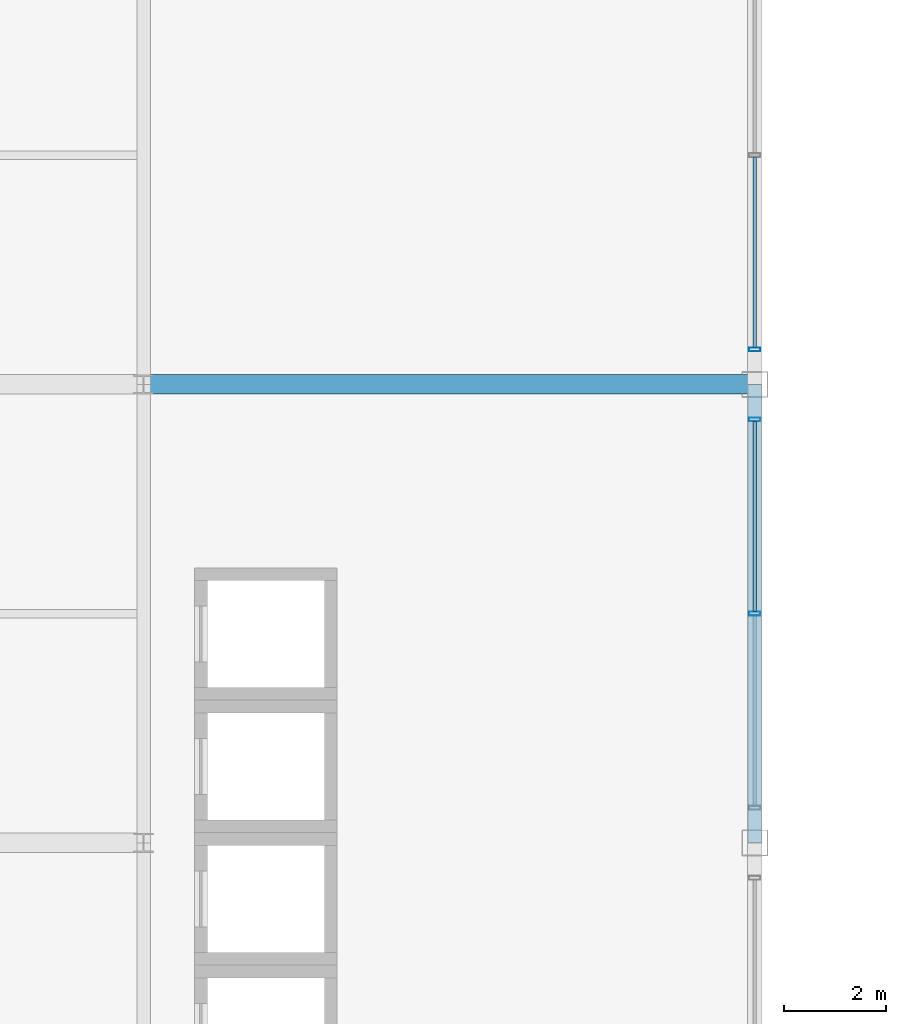
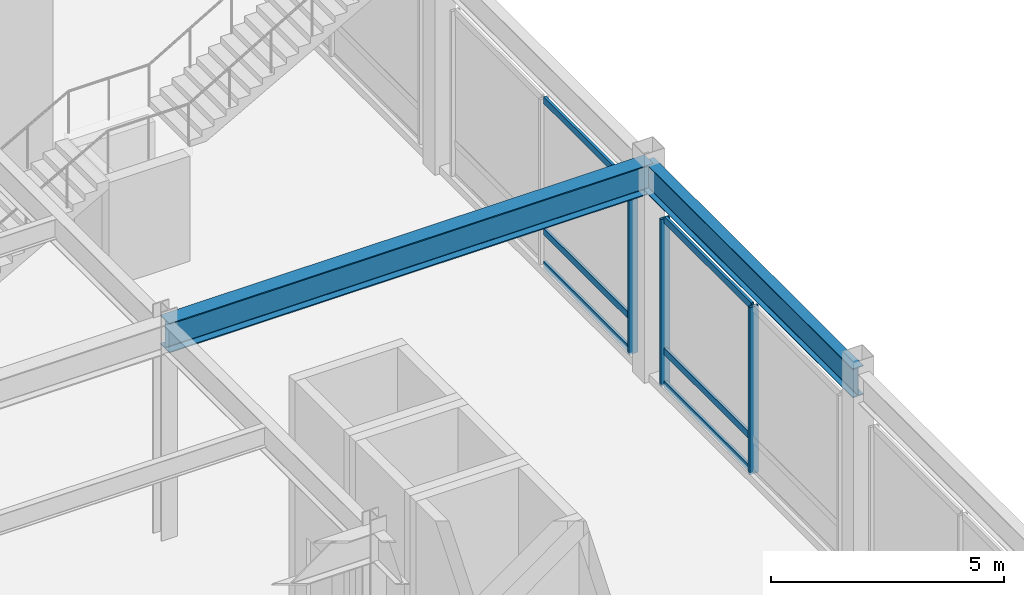
# One storey, part 62 of 108: 9 members, 2 beams, 2 elements without a shape of their own.
"""IFC4 building model written with IfcOpenShell, lengths in metres."""

import ifcopenshell
import ifcopenshell.guid

model = None  # the IFC model being written
_history = None  # IfcOwnerHistory: only IFC2X3 demands one
_inside = {}  # id of a spatial element -> (the spatial element, [elements in it])
_under = {}  # id of a project, library or spatial element -> (it, [spatial elements below it])
_declared = {}  # id of a project -> (the project, [libraries it declares])
_typed = {}  # id of a type object -> (the type object, [elements of that type])
_made_of = {}  # id of a material, layer set ... -> (it, [elements and type objects made of it])


def new_model(schema):
    """Start an empty IFC model of exactly this schema.

    Asked for "IFC4X3", IfcOpenShell would pick the latest addendum, in which some entities
    have other attributes; the version numbers below select the first issue.
    IFC2X3 requires an IfcOwnerHistory on every rooted entity: one is made here for all.
    """
    global model, _history
    if schema == "IFC4X3":
        model = ifcopenshell.file(schema_version=(4, 3, 0, 0))
    else:
        model = ifcopenshell.file(schema=schema)
    _inside.clear()
    _under.clear()
    _declared.clear()
    _typed.clear()
    _made_of.clear()
    _history = None
    if model.schema == "IFC2X3":
        org = make("IfcOrganization", Name="unknown")
        user = make(
            "IfcPersonAndOrganization",
            ThePerson=make("IfcPerson", FamilyName="unknown"),
            TheOrganization=org,
        )
        app = make(
            "IfcApplication",
            ApplicationDeveloper=org,
            Version="unknown",
            ApplicationFullName="unknown",
            ApplicationIdentifier="unknown",
        )
        _history = make(
            "IfcOwnerHistory",
            OwningUser=user,
            OwningApplication=app,
            ChangeAction="ADDED",
            CreationDate=0,
        )
    return model


def make(cls, **values):
    """One entity of the class cls with the attributes given. An attribute that is None is left unset."""
    return model.create_entity(
        cls, **{name: value for name, value in values.items() if value is not None}
    )


def rooted(cls, **values):
    """An entity with a GlobalId (a new one), such as an element, a storey or a relation."""
    return make(cls, GlobalId=ifcopenshell.guid.new(), OwnerHistory=_history, **values)


def si_unit(unit_type, name, prefix=None):
    """IfcSIUnit, for example si_unit("LENGTHUNIT", "METRE", prefix="MILLI")."""
    return make("IfcSIUnit", UnitType=unit_type, Prefix=prefix, Name=name)


def assignment(units):
    """IfcUnitAssignment: the units of a project."""
    return None if units is None else make("IfcUnitAssignment", Units=units)


def point(xyz):
    """IfcCartesianPoint."""
    return None if xyz is None else make("IfcCartesianPoint", Coordinates=xyz)


def direction(xyz):
    """IfcDirection."""
    return None if xyz is None else make("IfcDirection", DirectionRatios=xyz)


def frame(location, z_axis=None, x_axis=None):
    """IfcAxis2Placement3D, a coordinate frame: its origin and axes. An axis left out is left unset."""
    return make(
        "IfcAxis2Placement3D",
        Location=point(location),
        Axis=direction(z_axis),
        RefDirection=direction(x_axis),
    )


def frame_2d(location, x_axis=None):
    """IfcAxis2Placement2D, a coordinate frame in the plane: its origin and x axis."""
    return make(
        "IfcAxis2Placement2D", Location=point(location), RefDirection=direction(x_axis)
    )


def origin():
    """The frame at (0, 0, 0) with its axes left unset."""
    return frame((0.0, 0.0, 0.0))


def origin_2d():
    """The frame at (0, 0) in the plane with its x axis left unset."""
    return frame_2d((0.0, 0.0))


def place(relative_to, where):
    """IfcLocalPlacement: puts the frame where relative to a parent placement (None: the world)."""
    return make(
        "IfcLocalPlacement", PlacementRelTo=relative_to, RelativePlacement=where
    )


def context(
    kind, dimensions, precision=None, world=None, true_north=None, identifier=None
):
    """IfcGeometricRepresentationContext, for example the 3D "Model" context."""
    return make(
        "IfcGeometricRepresentationContext",
        ContextIdentifier=identifier,
        ContextType=kind,
        CoordinateSpaceDimension=dimensions,
        Precision=precision,
        WorldCoordinateSystem=world,
        TrueNorth=true_north,
    )


def subcontext(parent, identifier, kind, view, scale=None):
    """IfcGeometricRepresentationSubContext, for example "Body" below "Model"."""
    return make(
        "IfcGeometricRepresentationSubContext",
        ContextIdentifier=identifier,
        ContextType=kind,
        ParentContext=parent,
        TargetScale=scale,
        TargetView=view,
    )


def project(units=None, contexts=None):
    """IfcProject with its units and contexts."""
    return rooted(
        "IfcProject",
        Name="project",
        RepresentationContexts=contexts,
        UnitsInContext=assignment(units),
    )


def spatial(cls, under=None, at=None, **own):
    """A site, building, storey or space (cls), placed at a placement, below another one or the project."""
    s = rooted(cls, ObjectPlacement=at, **own)
    if under is not None:
        _under.setdefault(under.id(), (under, []))[1].append(s)
    return s


def profile(cls, at=None, kind="AREA", **sizes):
    """A parametric profile (cls). Its sizes go by their IFC names, for example OverallWidth=200.0."""
    return make(cls, ProfileType=kind, Position=at, **sizes)


def hollow_rectangle(**sizes):
    """IfcRectangleHollowProfileDef."""
    return profile("IfcRectangleHollowProfileDef", **sizes)


def i_section(**sizes):
    """IfcIShapeProfileDef."""
    return profile("IfcIShapeProfileDef", **sizes)


def extrude(swept, where, along, depth):
    """IfcExtrudedAreaSolid: the profile swept, set in the frame where, extruded along a direction by depth."""
    return make(
        "IfcExtrudedAreaSolid",
        SweptArea=swept,
        Position=where,
        ExtrudedDirection=direction(along),
        Depth=depth,
    )


def shape(context_of_items, identifier, shape_type, items):
    """IfcShapeRepresentation: the items that make up one representation, for example the "Body"."""
    return make(
        "IfcShapeRepresentation",
        ContextOfItems=context_of_items,
        RepresentationIdentifier=identifier,
        RepresentationType=shape_type,
        Items=items,
    )


def material(Name=None, Category=None):
    """IfcMaterial."""
    return make("IfcMaterial", Name=Name, Category=Category)


def material_profile(
    of_material, cross_section, Name=None, Category=None, Priority=None
):
    """IfcMaterialProfile: a cross section and its material."""
    return make(
        "IfcMaterialProfile",
        Name=Name,
        Material=of_material,
        Profile=cross_section,
        Priority=Priority,
        Category=Category,
    )


def profile_set(profiles, Name=None, composite=None):
    """IfcMaterialProfileSet."""
    return make(
        "IfcMaterialProfileSet",
        Name=Name,
        MaterialProfiles=profiles,
        CompositeProfile=composite,
    )


def made_of(thing, what):
    """Note that an element or type object is made of a material, layer set ...; save() writes the relation."""
    if what is not None:
        _made_of.setdefault(what.id(), (what, []))[1].append(thing)
    return thing


def type_object(cls, material=None, **own):
    """A type object (cls), such as IfcWallType, which elements share."""
    return made_of(rooted(cls, **own), material)


def element(
    cls,
    number,
    at=None,
    inside=None,
    cuts=None,
    type_object=None,
    material=None,
    context=None,
    identifier="Body",
    shape_type=None,
    held_by="IfcProductDefinitionShape",
    body=None,
    shapes=None,
    **own,
):
    """One element of the class cls, such as IfcWall. Its Tag is "e" and its number.

    at: its placement. inside: the storey or other place that contains it. cuts: it is an
    opening in that element (IfcRelVoidsElement). A single representation is given by context,
    identifier, shape_type and body (its items); several are given by shapes. held_by: the class
    of the entity that holds the representations. save() writes the other relations.
    """
    e = rooted(cls, Tag="e%d" % number, ObjectPlacement=at, **own)
    if body is not None:
        shapes = [shape(context, identifier, shape_type, body)]
    if shapes is not None:
        e.Representation = make(held_by, Representations=shapes)
    if inside is not None:
        _inside.setdefault(inside.id(), (inside, []))[1].append(e)
    if cuts is not None:
        rooted(
            "IfcRelVoidsElement", RelatingBuildingElement=cuts, RelatedOpeningElement=e
        )
    if type_object is not None:
        _typed.setdefault(type_object.id(), (type_object, []))[1].append(e)
    return made_of(e, material)


def aggregate(whole, parts):
    """IfcRelAggregates: a whole, such as a stair, and the parts it consists of."""
    return rooted("IfcRelAggregates", RelatingObject=whole, RelatedObjects=parts)


def save(model, path):
    """Write the relations noted so far, then the file.

    IfcRelAggregates (storeys below a building ...), IfcRelContainedInSpatialStructure (elements
    in a storey), IfcRelDefinesByType, IfcRelAssociatesMaterial and IfcRelDeclares: one each for
    every whole, place, type object, material and project.
    """
    for whole, parts in _under.values():
        aggregate(whole, parts)
    for where, things in _inside.values():
        rooted(
            "IfcRelContainedInSpatialStructure",
            RelatedElements=things,
            RelatingStructure=where,
        )
    for kind, things in _typed.values():
        rooted("IfcRelDefinesByType", RelatedObjects=things, RelatingType=kind)
    for what, things in _made_of.values():
        rooted("IfcRelAssociatesMaterial", RelatedObjects=things, RelatingMaterial=what)
    for by, libraries in _declared.values():
        rooted("IfcRelDeclares", RelatingContext=by, RelatedDefinitions=libraries)
    model.write(path)


model = new_model("IFC4")

# Units and contexts
model_context = context("Model", 3, precision=1e-05, world=origin(), true_north=direction((0.0, 1.0)))
body_context = subcontext(model_context, "Body", "Model", "MODEL_VIEW")
ifc_project = project(units=[si_unit("LENGTHUNIT", "METRE"), si_unit("AREAUNIT", "SQUARE_METRE"), si_unit("VOLUMEUNIT", "CUBIC_METRE"), si_unit("PLANEANGLEUNIT", "RADIAN"), si_unit("MASSUNIT", "GRAM", prefix="KILO")], contexts=[model_context])

# Site, building, storey
site_placement = place(None, origin())
site = spatial("IfcSite", under=ifc_project, at=site_placement, CompositionType="ELEMENT")
building_placement = place(site_placement, origin())
building = spatial("IfcBuilding", under=site, at=building_placement, Name="Kaldorvane Square Convention Centre", CompositionType="ELEMENT")
storey_placement = place(building_placement, frame((0.0, 0.0, 12.0)))
storey = spatial("IfcBuildingStorey", under=building, at=storey_placement, Name="L02", CompositionType="ELEMENT", Elevation=12.0)

# Beams
ifc_material_1 = material(Name="Steel ASTM A992 Gr. 50", Category="steel")
ifc_material_profile_1 = material_profile(ifc_material_1, i_section(OverallWidth=0.2666015625, OverallDepth=0.762298583984375, WebThickness=0.014404296875, FlangeThickness=0.0216064453125, FilletRadius=0.0164947509765625, at=origin_2d()), Name="W30X116")
ifc_profile_set_1 = profile_set([ifc_material_profile_1], Name="Steel ASTM A992 Gr. 50")
beam_type_1 = type_object("IfcBeamType", Name="BM-GR-W30X116", PredefinedType="BEAM", material=ifc_profile_set_1)
beam_1_placement = place(storey_placement, frame((138.0, 45.0, 5.264801025390625), z_axis=(0.0, 1.0, 0.0), x_axis=(-1.0, 0.0, 0.0)))
element("IfcBeam", 1, at=beam_1_placement, inside=storey, type_object=beam_type_1, Name="Transverse Girder (L02)", PredefinedType="BEAM", context=body_context, shape_type="SweptSolid", body=[
    extrude(i_section(OverallWidth=0.2666015625, OverallDepth=0.762298583984375, WebThickness=0.014404296875, FlangeThickness=0.0216064453125, FilletRadius=0.0164947509765625, at=origin_2d()), origin(), (0.0, 0.0, 1.0), 9.0),
])
ifc_material_profile_2 = material_profile(ifc_material_1, i_section(OverallWidth=0.380706787109375, OverallDepth=0.773193359375, WebThickness=0.0166015625, FlangeThickness=0.027099609375, FilletRadius=0.0164947509765625, at=origin_2d()), Name="W30X173")
ifc_profile_set_2 = profile_set([ifc_material_profile_2], Name="Steel ASTM A992 Gr. 50")
beam_type_2 = type_object("IfcBeamType", Name="BM-GR-W30X173", PredefinedType="BEAM", material=ifc_profile_set_2)
beam_2_placement = place(storey_placement, frame((126.0, 54.0, 5.2593994140625), z_axis=(1.0, 0.0, 0.0), x_axis=(0.0, 1.0, 0.0)))
element("IfcBeam", 2, at=beam_2_placement, inside=storey, type_object=beam_type_2, Name="Primary Girder (L02)", PredefinedType="BEAM", context=body_context, shape_type="SweptSolid", body=[
    extrude(i_section(OverallWidth=0.380706787109375, OverallDepth=0.773193359375, WebThickness=0.0166015625, FlangeThickness=0.027099609375, FilletRadius=0.0164947509765625, at=origin_2d()), origin(), (0.0, 0.0, 1.0), 12.0),
])

# Curtain wall, members
ifc_material_2 = material(Name="Anodized Aluminum and Low-E Insulated Glazing", Category="aluminium")
curtain_wall_type = type_object("IfcCurtainWallType", Name="CW-PTS-FC-60", PredefinedType="USERDEFINED", material=ifc_material_2)
curtain_wall_1_placement = place(storey_placement, origin())
curtain_wall_1 = element("IfcCurtainWall", 3, at=curtain_wall_1_placement, inside=storey, type_object=curtain_wall_type, Name="Curtain Wall CW-07 (L02)", ObjectType="POINT SUPPORTED GLAZING", PredefinedType="USERDEFINED")
ifc_material_profile_3 = material_profile(ifc_material_2, hollow_rectangle(XDim=0.0749969482421875, YDim=0.220001220703125, WallThickness=0.003997802734375, at=origin_2d()), Name="CWM-220X75")
ifc_profile_set_3 = profile_set([ifc_material_profile_3], Name="Anodized Aluminum and Low-E Insulated Glazing")
member_type_1 = type_object("IfcMemberType", Name="CW-MUL-220", PredefinedType="MULLION", material=ifc_profile_set_3)
member_1_placement = place(storey_placement, frame((138.0, 49.5, 0.149993896484375), z_axis=(0.0, 0.0, 1.0), x_axis=(0.0, 1.0, 0.0)))
member_1 = element("IfcMember", 4, at=member_1_placement, type_object=member_type_1, Name="CW-07 mullion 2", PredefinedType="MULLION", context=body_context, shape_type="SweptSolid", body=[
    extrude(hollow_rectangle(XDim=0.0749969482421875, YDim=0.220001220703125, WallThickness=0.003997802734375, at=origin_2d()), origin(), (0.0, 0.0, 1.0), 4.3800048828125),
])
member_2_placement = place(storey_placement, frame((138.0, 53.3125, 0.149993896484375), z_axis=(0.0, 0.0, 1.0), x_axis=(0.0, 1.0, 0.0)))
member_2 = element("IfcMember", 5, at=member_2_placement, type_object=member_type_1, Name="CW-07 mullion 3", PredefinedType="MULLION", context=body_context, shape_type="SweptSolid", body=[
    extrude(hollow_rectangle(XDim=0.0749969482421875, YDim=0.220001220703125, WallThickness=0.003997802734375, at=origin_2d()), origin(), (0.0, 0.0, 1.0), 4.3800048828125),
])

# Curtain wall, member
curtain_wall_2_placement = place(storey_placement, origin())
curtain_wall_2 = element("IfcCurtainWall", 6, at=curtain_wall_2_placement, inside=storey, type_object=curtain_wall_type, Name="Curtain Wall CW-07 (L02)", ObjectType="POINT SUPPORTED GLAZING", PredefinedType="USERDEFINED")
member_3_placement = place(storey_placement, frame((138.0, 54.6875, 0.149993896484375), z_axis=(0.0, 0.0, 1.0), x_axis=(0.0, 1.0, 0.0)))
member_3 = element("IfcMember", 7, at=member_3_placement, type_object=member_type_1, Name="CW-07 mullion 1", PredefinedType="MULLION", context=body_context, shape_type="SweptSolid", body=[
    extrude(hollow_rectangle(XDim=0.0749969482421875, YDim=0.220001220703125, WallThickness=0.003997802734375, at=origin_2d()), origin(), (0.0, 0.0, 1.0), 4.3800048828125),
])

# Member
ifc_material_profile_4 = material_profile(ifc_material_2, hollow_rectangle(XDim=0.06500244140625, YDim=0.17999267578125, WallThickness=0.0034942626953125, at=origin_2d()), Name="CWT-180X65")
ifc_profile_set_4 = profile_set([ifc_material_profile_4], Name="Anodized Aluminum and Low-E Insulated Glazing")
member_type_2 = type_object("IfcMemberType", Name="CW-TRN-180", PredefinedType="USERDEFINED", material=ifc_profile_set_4)
member_4_placement = place(storey_placement, frame((138.0, 49.537506103515625, 0.1824951171875), z_axis=(0.0, 1.0, 0.0), x_axis=(-1.0, 0.0, 0.0)))
member_4 = element("IfcMember", 8, at=member_4_placement, type_object=member_type_2, Name="CW-07 transom 2.1", ObjectType="TRANSOM", PredefinedType="USERDEFINED", context=body_context, shape_type="SweptSolid", body=[
    extrude(hollow_rectangle(XDim=0.06500244140625, YDim=0.17999267578125, WallThickness=0.0034942626953125, at=origin_2d()), origin(), (0.0, 0.0, 1.0), 3.73748779296875),
])

member_5_placement = place(storey_placement, frame((138.0, 49.537506103515625, 1.0500030517578125), z_axis=(0.0, 1.0, 0.0), x_axis=(-1.0, 0.0, 0.0)))
member_5 = element("IfcMember", 9, at=member_5_placement, type_object=member_type_2, Name="CW-07 transom 2.2", ObjectType="TRANSOM", PredefinedType="USERDEFINED", context=body_context, shape_type="SweptSolid", body=[
    extrude(hollow_rectangle(XDim=0.06500244140625, YDim=0.17999267578125, WallThickness=0.0034942626953125, at=origin_2d()), origin(), (0.0, 0.0, 1.0), 3.73748779296875),
])

member_6_placement = place(storey_placement, frame((138.0, 49.537506103515625, 4.49749755859375), z_axis=(0.0, 1.0, 0.0), x_axis=(-1.0, 0.0, 0.0)))
member_6 = element("IfcMember", 10, at=member_6_placement, type_object=member_type_2, Name="CW-07 transom 2.3", ObjectType="TRANSOM", PredefinedType="USERDEFINED", context=body_context, shape_type="SweptSolid", body=[
    extrude(hollow_rectangle(XDim=0.06500244140625, YDim=0.17999267578125, WallThickness=0.0034942626953125, at=origin_2d()), origin(), (0.0, 0.0, 1.0), 3.73748779296875),
])

aggregate(curtain_wall_1, [member_1, member_2, member_4, member_5, member_6])

member_7_placement = place(storey_placement, frame((138.0, 54.725006103515625, 0.1824951171875), z_axis=(0.0, 1.0, 0.0), x_axis=(-1.0, 0.0, 0.0)))
member_7 = element("IfcMember", 11, at=member_7_placement, type_object=member_type_2, Name="CW-07 transom 1.1", ObjectType="TRANSOM", PredefinedType="USERDEFINED", context=body_context, shape_type="SweptSolid", body=[
    extrude(hollow_rectangle(XDim=0.06500244140625, YDim=0.17999267578125, WallThickness=0.0034942626953125, at=origin_2d()), origin(), (0.0, 0.0, 1.0), 3.73748779296875),
])

member_8_placement = place(storey_placement, frame((138.0, 54.725006103515625, 1.0500030517578125), z_axis=(0.0, 1.0, 0.0), x_axis=(-1.0, 0.0, 0.0)))
member_8 = element("IfcMember", 12, at=member_8_placement, type_object=member_type_2, Name="CW-07 transom 1.2", ObjectType="TRANSOM", PredefinedType="USERDEFINED", context=body_context, shape_type="SweptSolid", body=[
    extrude(hollow_rectangle(XDim=0.06500244140625, YDim=0.17999267578125, WallThickness=0.0034942626953125, at=origin_2d()), origin(), (0.0, 0.0, 1.0), 3.73748779296875),
])

member_9_placement = place(storey_placement, frame((138.0, 54.725006103515625, 4.49749755859375), z_axis=(0.0, 1.0, 0.0), x_axis=(-1.0, 0.0, 0.0)))
member_9 = element("IfcMember", 13, at=member_9_placement, type_object=member_type_2, Name="CW-07 transom 1.3", ObjectType="TRANSOM", PredefinedType="USERDEFINED", context=body_context, shape_type="SweptSolid", body=[
    extrude(hollow_rectangle(XDim=0.06500244140625, YDim=0.17999267578125, WallThickness=0.0034942626953125, at=origin_2d()), origin(), (0.0, 0.0, 1.0), 3.73748779296875),
])

aggregate(curtain_wall_2, [member_3, member_7, member_8, member_9])

save(model, "model.ifc")
